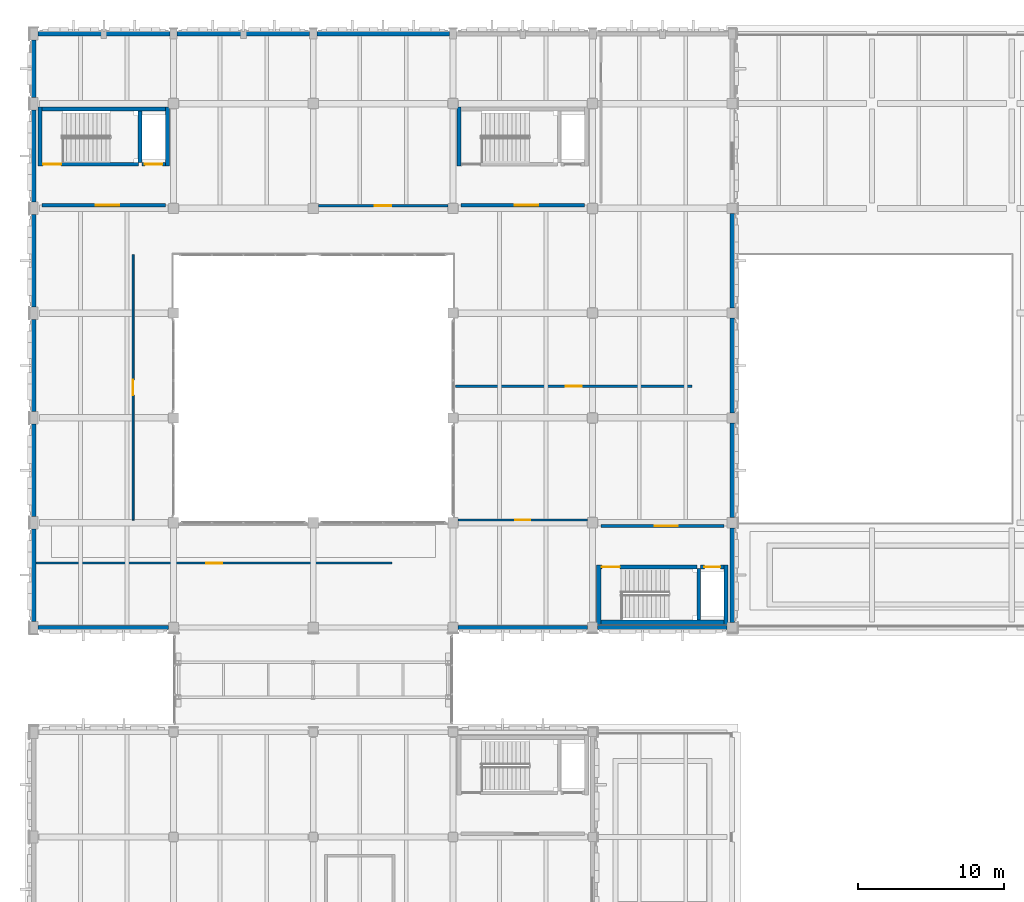
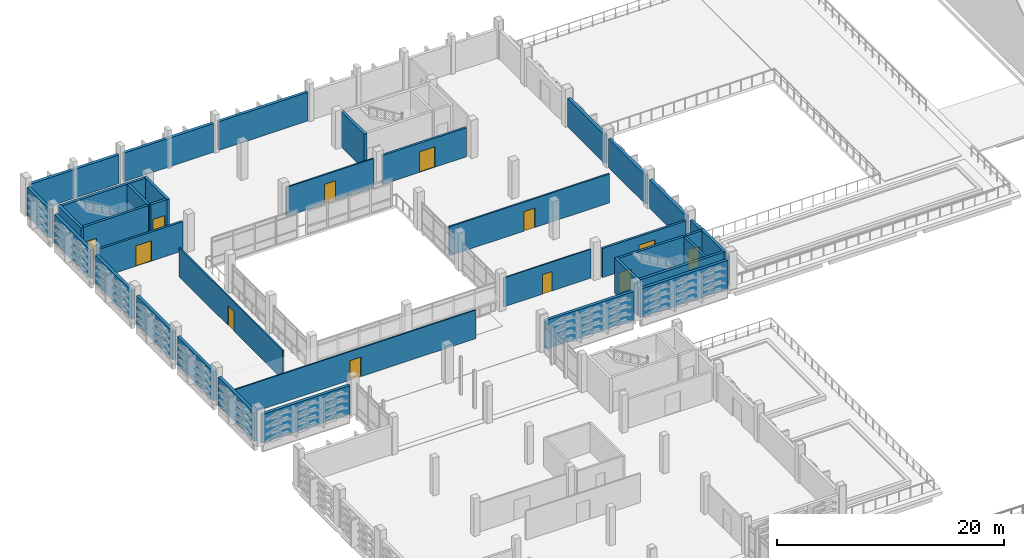
# One storey, part 114 of 134: 37 walls, 12 doors, 12 openings.
"""IFC4 building model written with IfcOpenShell, lengths in metres."""

from ifc_helpers import new_model, si_unit, direction, frame, frame_2d, origin, place, context, subcontext, project, spatial, rectangle, extrude, material, layer, layer_set, type_object, element, fill, save


model = new_model("IFC4")

# Units and contexts
model_context = context("Model", 3, precision=1e-05, world=origin(), true_north=direction((0.0, 1.0)))
body_context = subcontext(model_context, "Body", "Model", "MODEL_VIEW")
ifc_project = project(units=[si_unit("LENGTHUNIT", "METRE"), si_unit("AREAUNIT", "SQUARE_METRE"), si_unit("VOLUMEUNIT", "CUBIC_METRE"), si_unit("PLANEANGLEUNIT", "RADIAN"), si_unit("MASSUNIT", "GRAM", prefix="KILO")], contexts=[model_context])

# Site, building, storey
site_placement = place(None, origin())
site = spatial("IfcSite", under=ifc_project, at=site_placement, CompositionType="ELEMENT")
building_placement = place(site_placement, origin())
building = spatial("IfcBuilding", under=site, at=building_placement, Name="Asteropetra Specialist Clinic", CompositionType="ELEMENT")
storey_placement = place(building_placement, frame((0.0, 0.0, 8.5)))
storey = spatial("IfcBuildingStorey", under=building, at=storey_placement, Name="L02", CompositionType="ELEMENT", Elevation=8.5)

# Walls
ifc_material_1 = material(Name="Chevron terracotta mid", Category="masonry")
ifc_layer_1 = layer(ifc_material_1, 0.300048828125)
ifc_layer_set_1 = layer_set([ifc_layer_1], Name="Chevron terracotta mid")
wall_type_1 = type_object("IfcWallType", Name="EW-CHEV-TER-300", PredefinedType="SOLIDWALL", material=ifc_layer_set_1)
wall_1_placement = place(storey_placement, frame((0.300048828125, 69.60009765625, 0.0), z_axis=(0.0, 0.0, 1.0), x_axis=(1.0, 0.0, 0.0)))
element("IfcWall", 1, at=wall_1_placement, inside=storey, type_object=wall_type_1, Name="Exterior Wall EW-0087", PredefinedType="SOLIDWALL", context=body_context, shape_type="SweptSolid", body=[
    extrude(rectangle(XDim=8.949951171875, YDim=0.300048828125, at=frame_2d((4.47509765625, 0.0))), origin(), (0.0, 0.0, 1.0), 3.080078125),
])
wall_2_placement = place(storey_placement, frame((9.35009765625, 110.39990234375, 0.0), z_axis=(0.0, 0.0, 1.0), x_axis=(-1.0, 0.0, 0.0)))
element("IfcWall", 2, at=wall_2_placement, inside=storey, type_object=wall_type_1, Name="Exterior Wall EW-0088", PredefinedType="SOLIDWALL", context=body_context, shape_type="SweptSolid", body=[
    extrude(rectangle(XDim=9.050048828125, YDim=0.300048828125, at=frame_2d((4.52490234375, 0.0))), origin(), (0.0, 0.0, 1.0), 3.080078125),
])
wall_3_placement = place(storey_placement, frame((18.949951171875, 110.39990234375, 0.0), z_axis=(0.0, 0.0, 1.0), x_axis=(-1.0, 0.0, 0.0)))
element("IfcWall", 3, at=wall_3_placement, inside=storey, type_object=wall_type_1, Name="Exterior Wall EW-0089", PredefinedType="SOLIDWALL", context=body_context, shape_type="SweptSolid", body=[
    extrude(rectangle(XDim=9.099853515625, YDim=0.300048828125, at=frame_2d((4.5498046875, 0.0))), origin(), (0.0, 0.0, 1.0), 3.080078125),
])
wall_4_placement = place(storey_placement, frame((28.550048828125, 110.39990234375, 0.0), z_axis=(0.0, 0.0, 1.0), x_axis=(-1.0, 0.0, 0.0)))
element("IfcWall", 4, at=wall_4_placement, inside=storey, type_object=wall_type_1, Name="Exterior Wall EW-0090", PredefinedType="SOLIDWALL", context=body_context, shape_type="SweptSolid", body=[
    extrude(rectangle(XDim=9.10009765625, YDim=0.300048828125, at=frame_2d((4.550048828125, 0.0))), origin(), (0.0, 0.0, 1.0), 3.080078125),
])
wall_5_placement = place(storey_placement, frame((29.14990234375, 69.60009765625, 0.0), z_axis=(0.0, 0.0, 1.0), x_axis=(1.0, 0.0, 0.0)))
element("IfcWall", 5, at=wall_5_placement, inside=storey, type_object=wall_type_1, Name="Exterior Wall EW-0091", PredefinedType="SOLIDWALL", context=body_context, shape_type="SweptSolid", body=[
    extrude(rectangle(XDim=8.900146484375, YDim=0.300048828125, at=frame_2d((4.4501953125, 0.0))), origin(), (0.0, 0.0, 1.0), 3.080078125),
])
wall_6_placement = place(storey_placement, frame((38.75, 69.60009765625, 0.0), z_axis=(0.0, 0.0, 1.0), x_axis=(1.0, 0.0, 0.0)))
element("IfcWall", 6, at=wall_6_placement, inside=storey, type_object=wall_type_1, Name="Exterior Wall EW-0093", PredefinedType="SOLIDWALL", context=body_context, shape_type="SweptSolid", body=[
    extrude(rectangle(XDim=8.89990234375, YDim=0.300048828125, at=frame_2d((4.449951171875, 0.0))), origin(), (0.0, 0.0, 1.0), 3.080078125),
])
wall_7_placement = place(storey_placement, frame((0.0, 76.375, 0.0), z_axis=(0.0, 0.0, 1.0), x_axis=(0.0, -1.0, 0.0)))
element("IfcWall", 7, at=wall_7_placement, inside=storey, type_object=wall_type_1, Name="Exterior Wall EW-0095", PredefinedType="SOLIDWALL", context=body_context, shape_type="SweptSolid", body=[
    extrude(rectangle(XDim=6.35009765625, YDim=0.300048828125, at=frame_2d((3.175048828125, 0.0))), origin(), (0.0, 0.0, 1.0), 3.080078125),
])
wall_8_placement = place(storey_placement, frame((48.0, 69.949951171875, 0.0), z_axis=(0.0, 0.0, 1.0), x_axis=(0.0, 1.0, 0.0)))
element("IfcWall", 8, at=wall_8_placement, inside=storey, type_object=wall_type_1, Name="Exterior Wall EW-0096", PredefinedType="SOLIDWALL", context=body_context, shape_type="SweptSolid", body=[
    extrude(rectangle(XDim=6.5, YDim=0.300048828125, at=frame_2d((3.25, 0.0))), origin(), (0.0, 0.0, 1.0), 3.080078125),
])
wall_9_placement = place(storey_placement, frame((0.0, 83.574951171875, 0.0), z_axis=(0.0, 0.0, 1.0), x_axis=(0.0, -1.0, 0.0)))
element("IfcWall", 9, at=wall_9_placement, inside=storey, type_object=wall_type_1, Name="Exterior Wall EW-0097", PredefinedType="SOLIDWALL", context=body_context, shape_type="SweptSolid", body=[
    extrude(rectangle(XDim=6.349853515625, YDim=0.300048828125, at=frame_2d((3.1748046875, 0.0))), origin(), (0.0, 0.0, 1.0), 3.080078125),
])
wall_10_placement = place(storey_placement, frame((48.0, 77.14990234375, 0.0), z_axis=(0.0, 0.0, 1.0), x_axis=(0.0, 1.0, 0.0)))
element("IfcWall", 10, at=wall_10_placement, inside=storey, type_object=wall_type_1, Name="Exterior Wall EW-0098", PredefinedType="SOLIDWALL", context=body_context, shape_type="SweptSolid", body=[
    extrude(rectangle(XDim=6.5, YDim=0.300048828125, at=frame_2d((3.25, 0.0))), origin(), (0.0, 0.0, 1.0), 3.080078125),
])
wall_11_placement = place(storey_placement, frame((0.0, 90.77490234375, 0.0), z_axis=(0.0, 0.0, 1.0), x_axis=(0.0, -1.0, 0.0)))
element("IfcWall", 11, at=wall_11_placement, inside=storey, type_object=wall_type_1, Name="Exterior Wall EW-0099", PredefinedType="SOLIDWALL", context=body_context, shape_type="SweptSolid", body=[
    extrude(rectangle(XDim=6.349853515625, YDim=0.300048828125, at=frame_2d((3.1748046875, 0.0))), origin(), (0.0, 0.0, 1.0), 3.080078125),
])
wall_12_placement = place(storey_placement, frame((48.0, 84.35009765625, 0.0), z_axis=(0.0, 0.0, 1.0), x_axis=(0.0, 1.0, 0.0)))
element("IfcWall", 12, at=wall_12_placement, inside=storey, type_object=wall_type_1, Name="Exterior Wall EW-0100", PredefinedType="SOLIDWALL", context=body_context, shape_type="SweptSolid", body=[
    extrude(rectangle(XDim=6.5, YDim=0.300048828125, at=frame_2d((3.25, 0.0))), origin(), (0.0, 0.0, 1.0), 3.080078125),
])
wall_13_placement = place(storey_placement, frame((0.0, 97.97509765625, 0.0), z_axis=(0.0, 0.0, 1.0), x_axis=(0.0, -1.0, 0.0)))
element("IfcWall", 13, at=wall_13_placement, inside=storey, type_object=wall_type_1, Name="Exterior Wall EW-0101", PredefinedType="SOLIDWALL", context=body_context, shape_type="SweptSolid", body=[
    extrude(rectangle(XDim=6.35009765625, YDim=0.300048828125, at=frame_2d((3.175048828125, 0.0))), origin(), (0.0, 0.0, 1.0), 3.080078125),
])
wall_14_placement = place(storey_placement, frame((48.0, 91.550048828125, 0.0), z_axis=(0.0, 0.0, 1.0), x_axis=(0.0, 1.0, 0.0)))
element("IfcWall", 14, at=wall_14_placement, inside=storey, type_object=wall_type_1, Name="Exterior Wall EW-0102", PredefinedType="SOLIDWALL", context=body_context, shape_type="SweptSolid", body=[
    extrude(rectangle(XDim=6.5, YDim=0.300048828125, at=frame_2d((3.25, 0.0))), origin(), (0.0, 0.0, 1.0), 3.080078125),
])
wall_15_placement = place(storey_placement, frame((0.0, 105.175048828125, 0.0), z_axis=(0.0, 0.0, 1.0), x_axis=(0.0, -1.0, 0.0)))
element("IfcWall", 15, at=wall_15_placement, inside=storey, type_object=wall_type_1, Name="Exterior Wall EW-0103", PredefinedType="SOLIDWALL", context=body_context, shape_type="SweptSolid", body=[
    extrude(rectangle(XDim=6.35009765625, YDim=0.300048828125, at=frame_2d((3.175048828125, 0.0))), origin(), (0.0, 0.0, 1.0), 3.080078125),
])
wall_16_placement = place(storey_placement, frame((0.0, 109.97509765625, 0.0), z_axis=(0.0, 0.0, 1.0), x_axis=(0.0, -1.0, 0.0)))
element("IfcWall", 16, at=wall_16_placement, inside=storey, type_object=wall_type_1, Name="Exterior Wall EW-0105", PredefinedType="SOLIDWALL", context=body_context, shape_type="SweptSolid", body=[
    extrude(rectangle(XDim=3.9501953125, YDim=0.300048828125, at=frame_2d((1.97509765625, 0.0))), origin(), (0.0, 0.0, 1.0), 3.080078125),
])

# Wall, opening, door
ifc_material_2 = material(Name="Fire-rated masonry and gypsum", Category="masonry")
ifc_layer_2 = layer(ifc_material_2, 0.219970703125)
ifc_layer_set_2 = layer_set([ifc_layer_2], Name="Fire-rated masonry and gypsum")
wall_type_2 = type_object("IfcWallType", Name="W-COMP-220", PredefinedType="PARTITIONING", material=ifc_layer_set_2)
wall_17_placement = place(storey_placement, frame((0.56005859375, 98.6201171875, 0.0), z_axis=(0.0, 0.0, 1.0), x_axis=(1.0, 0.0, 0.0)))
wall_17 = element("IfcWall", 17, at=wall_17_placement, inside=storey, type_object=wall_type_2, Name="Core Wall CW-C1-L02-LOB", PredefinedType="PARTITIONING", context=body_context, shape_type="SweptSolid", body=[
    extrude(rectangle(XDim=8.47998046875, YDim=0.219970703125, at=frame_2d((4.239990234375, 0.0))), origin(), (0.0, 0.0, 1.0), 3.1298828125),
])
opening_1_placement = place(wall_17_placement, frame((3.699951171875, 0.0, 0.0)))
opening_1 = element("IfcOpeningElement", 18, at=opening_1_placement, cuts=wall_17, Name="Opening FD-006", PredefinedType="OPENING", context=body_context, shape_type="SweptSolid", body=[
    extrude(rectangle(XDim=1.60009765625, YDim=2.199951171875, at=frame_2d((0.800048828125, 1.10009765625))), frame((0.0, 0.119873046875, 0.0), z_axis=(0.0, -1.0, 0.0), x_axis=(1.0, 0.0, 0.0)), (0.0, 0.0, 1.0), 0.239990234375),
])
ifc_material_3 = material(Name="Fire-rated steel and vision glass door", Category="steel")
door_type_1 = type_object("IfcDoorType", Name="FD-LOBBY-1600", OperationType="DOUBLE_DOOR_SINGLE_SWING", PredefinedType="DOOR", material=ifc_material_3)
door_1_placement = place(opening_1_placement, origin())
door_1 = element("IfcDoor", 19, at=door_1_placement, inside=storey, type_object=door_type_1, Name="Lobby Fire Door FD-006", OperationType="DOUBLE_DOOR_SINGLE_SWING", OverallHeight=2.199951171875, OverallWidth=1.60009765625, PredefinedType="DOOR", context=body_context, shape_type="SweptSolid", body=[
    extrude(rectangle(XDim=1.60009765625, YDim=2.199951171875, at=frame_2d((0.800048828125, 1.10009765625))), frame((0.0, 0.02490234375, 0.0), z_axis=(0.0, -1.0, 0.0), x_axis=(1.0, 0.0, 0.0)), (0.0, 0.0, 1.0), 0.050048828125),
])
fill(opening_1, door_1)

wall_18_placement = place(storey_placement, frame((29.360107421875, 98.6201171875, 0.0), z_axis=(0.0, 0.0, 1.0), x_axis=(1.0, 0.0, 0.0)))
wall_18 = element("IfcWall", 20, at=wall_18_placement, inside=storey, type_object=wall_type_2, Name="Core Wall CW-C2-L02-LOB", PredefinedType="PARTITIONING", context=body_context, shape_type="SweptSolid", body=[
    extrude(rectangle(XDim=8.47998046875, YDim=0.219970703125, at=frame_2d((4.239990234375, 0.0))), origin(), (0.0, 0.0, 1.0), 3.1298828125),
])
opening_2_placement = place(wall_18_placement, frame((3.699951171875, 0.0, 0.0)))
opening_2 = element("IfcOpeningElement", 21, at=opening_2_placement, cuts=wall_18, Name="Opening FD-018", PredefinedType="OPENING", context=body_context, shape_type="SweptSolid", body=[
    extrude(rectangle(XDim=1.60009765625, YDim=2.199951171875, at=frame_2d((0.800048828125, 1.10009765625))), frame((0.0, 0.119873046875, 0.0), z_axis=(0.0, -1.0, 0.0), x_axis=(1.0, 0.0, 0.0)), (0.0, 0.0, 1.0), 0.239990234375),
])
door_2_placement = place(opening_2_placement, origin())
door_2 = element("IfcDoor", 22, at=door_2_placement, inside=storey, type_object=door_type_1, Name="Lobby Fire Door FD-018", OperationType="DOUBLE_DOOR_SINGLE_SWING", OverallHeight=2.199951171875, OverallWidth=1.60009765625, PredefinedType="DOOR", context=body_context, shape_type="SweptSolid", body=[
    extrude(rectangle(XDim=1.60009765625, YDim=2.199951171875, at=frame_2d((0.800048828125, 1.10009765625))), frame((0.0, 0.02490234375, 0.0), z_axis=(0.0, -1.0, 0.0), x_axis=(1.0, 0.0, 0.0)), (0.0, 0.0, 1.0), 0.050048828125),
])
fill(opening_2, door_2)

wall_19_placement = place(storey_placement, frame((38.9599609375, 76.580078125, 0.0), z_axis=(0.0, 0.0, 1.0), x_axis=(1.0, 0.0, 0.0)))
wall_19 = element("IfcWall", 23, at=wall_19_placement, inside=storey, type_object=wall_type_2, Name="Core Wall CW-C3-L02-LOB", PredefinedType="PARTITIONING", context=body_context, shape_type="SweptSolid", body=[
    extrude(rectangle(XDim=8.47998046875, YDim=0.219970703125, at=frame_2d((4.239990234375, 0.0))), origin(), (0.0, 0.0, 1.0), 3.1298828125),
])
opening_3_placement = place(wall_19_placement, frame((3.699951171875, 0.0, 0.0)))
opening_3 = element("IfcOpeningElement", 24, at=opening_3_placement, cuts=wall_19, Name="Opening FD-030", PredefinedType="OPENING", context=body_context, shape_type="SweptSolid", body=[
    extrude(rectangle(XDim=1.60009765625, YDim=2.199951171875, at=frame_2d((0.800048828125, 1.10009765625))), frame((0.0, 0.119873046875, 0.0), z_axis=(0.0, -1.0, 0.0), x_axis=(1.0, 0.0, 0.0)), (0.0, 0.0, 1.0), 0.239990234375),
])
door_3_placement = place(opening_3_placement, origin())
door_3 = element("IfcDoor", 25, at=door_3_placement, inside=storey, type_object=door_type_1, Name="Lobby Fire Door FD-030", OperationType="DOUBLE_DOOR_SINGLE_SWING", OverallHeight=2.199951171875, OverallWidth=1.60009765625, PredefinedType="DOOR", context=body_context, shape_type="SweptSolid", body=[
    extrude(rectangle(XDim=1.60009765625, YDim=2.199951171875, at=frame_2d((0.800048828125, 1.10009765625))), frame((0.0, 0.02490234375, 0.0), z_axis=(0.0, -1.0, 0.0), x_axis=(1.0, 0.0, 0.0)), (0.0, 0.0, 1.0), 0.050048828125),
])
fill(opening_3, door_3)

# Walls
ifc_material_4 = material(Name="Concrete C35/45", Category="concrete")
ifc_layer_3 = layer(ifc_material_4, 0.280029296875)
ifc_layer_set_3 = layer_set([ifc_layer_3], Name="Concrete C35/45")
wall_type_3 = type_object("IfcWallType", Name="W-CORE-280", PredefinedType="SHEAR", material=ifc_layer_set_3)
for number, where, z_axis, x_axis, name in (
    (26, (0.419921875, 101.300048828125, 0.0), (0.0, 0.0, 1.0), (0.0, 1.0, 0.0), "Core Wall CW-C1-L02-W"),
    (27, (9.179931640625, 101.300048828125, 0.0), (0.0, 0.0, 1.0), (0.0, 1.0, 0.0), "Core Wall CW-C1-L02-E"),
):
    element("IfcWall", number, at=place(storey_placement, frame(where, z_axis=z_axis, x_axis=x_axis)), inside=storey, type_object=wall_type_3, Name=name, PredefinedType="SHEAR", context=body_context, shape_type="SweptSolid", body=[
        extrude(rectangle(XDim=4.079833984375, YDim=0.280029296875, at=frame_2d((2.0400390625, 0.0))), origin(), (0.0, 0.0, 1.0), 3.800048828125),
    ])
wall_20_placement = place(storey_placement, frame((0.554931640625, 105.239990234375, 0.0), z_axis=(0.0, 0.0, 1.0), x_axis=(1.0, 0.0, 0.0)))
element("IfcWall", 28, at=wall_20_placement, inside=storey, type_object=wall_type_3, Name="Core Wall CW-C1-L02-BACK", PredefinedType="SHEAR", context=body_context, shape_type="SweptSolid", body=[
    extrude(rectangle(XDim=8.489990234375, YDim=0.280029296875, at=frame_2d((4.2451171875, 0.0))), origin(), (0.0, 0.0, 1.0), 3.800048828125),
])
for number, where, z_axis, x_axis, name in (
    (29, (29.219970703125, 101.300048828125, 0.0), (0.0, 0.0, 1.0), (0.0, 1.0, 0.0), "Core Wall CW-C2-L02-W"),
    (30, (38.820068359375, 69.820068359375, 0.0), (0.0, 0.0, 1.0), (0.0, 1.0, 0.0), "Core Wall CW-C3-L02-W"),
    (31, (47.580078125, 69.820068359375, 0.0), (0.0, 0.0, 1.0), (0.0, 1.0, 0.0), "Core Wall CW-C3-L02-E"),
):
    element("IfcWall", number, at=place(storey_placement, frame(where, z_axis=z_axis, x_axis=x_axis)), inside=storey, type_object=wall_type_3, Name=name, PredefinedType="SHEAR", context=body_context, shape_type="SweptSolid", body=[
        extrude(rectangle(XDim=4.079833984375, YDim=0.280029296875, at=frame_2d((2.0400390625, 0.0))), origin(), (0.0, 0.0, 1.0), 3.800048828125),
    ])
wall_21_placement = place(storey_placement, frame((38.955078125, 69.9599609375, 0.0), z_axis=(0.0, 0.0, 1.0), x_axis=(1.0, 0.0, 0.0)))
element("IfcWall", 32, at=wall_21_placement, inside=storey, type_object=wall_type_3, Name="Core Wall CW-C3-L02-BACK", PredefinedType="SHEAR", context=body_context, shape_type="SweptSolid", body=[
    extrude(rectangle(XDim=8.489990234375, YDim=0.280029296875, at=frame_2d((4.2451171875, 0.0))), origin(), (0.0, 0.0, 1.0), 3.800048828125),
])

# Wall, opening, door
ifc_material_5 = material(Name="Light partition", Category="masonry")
ifc_layer_4 = layer(ifc_material_5, 0.1201171875)
ifc_layer_set_4 = layer_set([ifc_layer_4], Name="Light partition")
wall_type_4 = type_object("IfcWallType", Name="W-PART-120", PredefinedType="PARTITIONING", material=ifc_layer_set_4)
wall_22_placement = place(storey_placement, frame((29.155029296875, 76.97998046875, 0.0), z_axis=(0.0, 0.0, 1.0), x_axis=(1.0, 0.0, 0.0)))
wall_22 = element("IfcWall", 33, at=wall_22_placement, inside=storey, type_object=wall_type_4, Name="Interior Partition PW-0129", PredefinedType="PARTITIONING", context=body_context, shape_type="SweptSolid", body=[
    extrude(rectangle(XDim=8.889892578125, YDim=0.1201171875, at=frame_2d((4.44482421875, 0.0))), origin(), (0.0, 0.0, 1.0), 3.1201171875),
])
opening_4_placement = place(wall_22_placement, frame((3.945068359375, 0.0, 0.0)))
opening_4 = element("IfcOpeningElement", 34, at=opening_4_placement, cuts=wall_22, Name="Opening ID-0083", PredefinedType="OPENING", context=body_context, shape_type="SweptSolid", body=[
    extrude(rectangle(XDim=1.0, YDim=2.10009765625, at=frame_2d((0.5, 1.050048828125))), frame((0.0, 0.070068359375, 0.0), z_axis=(0.0, -1.0, 0.0), x_axis=(1.0, 0.0, 0.0)), (0.0, 0.0, 1.0), 0.14013671875),
])
ifc_material_6 = material(Name="Antimicrobial laminate timber leaf in steel frame", Category="steel")
door_type_2 = type_object("IfcDoorType", Name="ID-CONS-1000", OperationType="SINGLE_SWING_RIGHT", PredefinedType="DOOR", material=ifc_material_6)
door_4_placement = place(opening_4_placement, origin())
door_4 = element("IfcDoor", 35, at=door_4_placement, inside=storey, type_object=door_type_2, Name="Interior Door ID-0083", OperationType="SINGLE_SWING_RIGHT", OverallHeight=2.10009765625, OverallWidth=1.0, PredefinedType="DOOR", context=body_context, shape_type="SweptSolid", body=[
    extrude(rectangle(XDim=1.0, YDim=2.10009765625, at=frame_2d((0.5, 1.050048828125))), frame((0.0, 0.02490234375, 0.0), z_axis=(0.0, -1.0, 0.0), x_axis=(1.0, 0.0, 0.0)), (0.0, 0.0, 1.0), 0.050048828125),
])
fill(opening_4, door_4)

ifc_material_7 = material(Name="Office and seminar partition", Category="masonry")
ifc_layer_5 = layer(ifc_material_7, 0.1298828125)
ifc_layer_set_5 = layer_set([ifc_layer_5], Name="Office and seminar partition")
wall_type_5 = type_object("IfcWallType", Name="W-PART-130", PredefinedType="PARTITIONING", material=ifc_layer_set_5)
wall_23_placement = place(storey_placement, frame((6.820068359375, 76.97998046875, 0.0), z_axis=(0.0, 0.0, 1.0), x_axis=(0.0, 1.0, 0.0)))
wall_23 = element("IfcWall", 36, at=wall_23_placement, inside=storey, type_object=wall_type_5, Name="Interior Partition PW-0128", PredefinedType="PARTITIONING", context=body_context, shape_type="SweptSolid", body=[
    extrude(rectangle(XDim=18.239990234375, YDim=0.1298828125, at=frame_2d((9.1201171875, 0.0))), origin(), (0.0, 0.0, 1.0), 3.1201171875),
])
opening_5_placement = place(wall_23_placement, frame((8.594970703125, 0.0, 0.0)))
opening_5 = element("IfcOpeningElement", 37, at=opening_5_placement, cuts=wall_23, Name="Opening ID-0082", PredefinedType="OPENING", context=body_context, shape_type="SweptSolid", body=[
    extrude(rectangle(XDim=1.050048828125, YDim=2.10009765625, at=frame_2d((0.52490234375, 1.050048828125))), frame((0.0, 0.074951171875, 0.0), z_axis=(0.0, -1.0, 0.0), x_axis=(1.0, 0.0, 0.0)), (0.0, 0.0, 1.0), 0.14990234375),
])
ifc_material_8 = material(Name="Antimicrobial laminate timber leaf in steel frame", Category="steel")
door_type_3 = type_object("IfcDoorType", Name="ID-CONS-1050", OperationType="SINGLE_SWING_LEFT", PredefinedType="DOOR", material=ifc_material_8)
door_5_placement = place(opening_5_placement, origin())
door_5 = element("IfcDoor", 38, at=door_5_placement, inside=storey, type_object=door_type_3, Name="Interior Door ID-0082", OperationType="SINGLE_SWING_LEFT", OverallHeight=2.10009765625, OverallWidth=1.050048828125, PredefinedType="DOOR", context=body_context, shape_type="SweptSolid", body=[
    extrude(rectangle(XDim=1.050048828125, YDim=2.10009765625, at=frame_2d((0.52490234375, 1.050048828125))), frame((0.0, 0.02490234375, 0.0), z_axis=(0.0, -1.0, 0.0), x_axis=(1.0, 0.0, 0.0)), (0.0, 0.0, 1.0), 0.050048828125),
])
fill(opening_5, door_5)

ifc_material_9 = material(Name="Laboratory partition", Category="masonry")
ifc_layer_6 = layer(ifc_material_9, 0.139892578125)
ifc_layer_set_6 = layer_set([ifc_layer_6], Name="Laboratory partition")
wall_type_6 = type_object("IfcWallType", Name="W-PART-140", PredefinedType="PARTITIONING", material=ifc_layer_set_6)
wall_24_placement = place(storey_placement, frame((0.152099609375, 74.02001953125, 0.0), z_axis=(0.0, 0.0, 1.0), x_axis=(1.0, 0.0, 0.0)))
wall_24 = element("IfcWall", 39, at=wall_24_placement, inside=storey, type_object=wall_type_6, Name="Interior Partition PW-0127", PredefinedType="PARTITIONING", context=body_context, shape_type="SweptSolid", body=[
    extrude(rectangle(XDim=24.468017578125, YDim=0.139892578125, at=frame_2d((12.23388671875, 0.0))), origin(), (0.0, 0.0, 1.0), 3.080078125),
])
opening_6_placement = place(wall_24_placement, frame((11.68408203125, 0.0, 0.0)))
opening_6 = element("IfcOpeningElement", 40, at=opening_6_placement, cuts=wall_24, Name="Opening ID-0081", PredefinedType="OPENING", context=body_context, shape_type="SweptSolid", body=[
    extrude(rectangle(XDim=1.10009765625, YDim=2.10009765625, at=frame_2d((0.550048828125, 1.050048828125))), frame((0.0, 0.079833984375, 0.0), z_axis=(0.0, -1.0, 0.0), x_axis=(1.0, 0.0, 0.0)), (0.0, 0.0, 1.0), 0.159912109375),
])
ifc_material_10 = material(Name="Antimicrobial laminate timber leaf in steel frame", Category="steel")
door_type_4 = type_object("IfcDoorType", Name="ID-CONS-1100", OperationType="SINGLE_SWING_RIGHT", PredefinedType="DOOR", material=ifc_material_10)
door_6_placement = place(opening_6_placement, origin())
door_6 = element("IfcDoor", 41, at=door_6_placement, inside=storey, type_object=door_type_4, Name="Interior Door ID-0081", OperationType="SINGLE_SWING_RIGHT", OverallHeight=2.10009765625, OverallWidth=1.10009765625, PredefinedType="DOOR", context=body_context, shape_type="SweptSolid", body=[
    extrude(rectangle(XDim=1.10009765625, YDim=2.10009765625, at=frame_2d((0.550048828125, 1.050048828125))), frame((0.0, 0.02490234375, 0.0), z_axis=(0.0, -1.0, 0.0), x_axis=(1.0, 0.0, 0.0)), (0.0, 0.0, 1.0), 0.050048828125),
])
fill(opening_6, door_6)

ifc_material_11 = material(Name="Clinical consulting partition", Category="masonry")
ifc_layer_7 = layer(ifc_material_11, 0.14990234375)
ifc_layer_set_7 = layer_set([ifc_layer_7], Name="Clinical consulting partition")
wall_type_7 = type_object("IfcWallType", Name="W-PART-150", PredefinedType="PARTITIONING", material=ifc_layer_set_7)
wall_25_placement = place(storey_placement, frame((19.554931640625, 98.580078125, 0.0), z_axis=(0.0, 0.0, 1.0), x_axis=(1.0, 0.0, 0.0)))
wall_25 = element("IfcWall", 42, at=wall_25_placement, inside=storey, type_object=wall_type_7, Name="Interior Partition PW-0131", PredefinedType="PARTITIONING", context=body_context, shape_type="SweptSolid", body=[
    extrude(rectangle(XDim=8.89013671875, YDim=0.14990234375, at=frame_2d((4.445068359375, 0.0))), origin(), (0.0, 0.0, 1.0), 3.1201171875),
])
opening_7_placement = place(wall_25_placement, frame((3.885009765625, 0.0, 0.0)))
opening_7 = element("IfcOpeningElement", 43, at=opening_7_placement, cuts=wall_25, Name="Opening ID-0085", PredefinedType="OPENING", context=body_context, shape_type="SweptSolid", body=[
    extrude(rectangle(XDim=1.1201171875, YDim=2.10009765625, at=frame_2d((0.56005859375, 1.050048828125))), frame((0.0, 0.0849609375, 0.0), z_axis=(0.0, -1.0, 0.0), x_axis=(1.0, 0.0, 0.0)), (0.0, 0.0, 1.0), 0.169921875),
])
ifc_material_12 = material(Name="Antimicrobial laminate timber leaf in steel frame", Category="steel")
door_type_5 = type_object("IfcDoorType", Name="ID-EXAM-1120", OperationType="SINGLE_SWING_RIGHT", PredefinedType="DOOR", material=ifc_material_12)
door_7_placement = place(opening_7_placement, origin())
door_7 = element("IfcDoor", 44, at=door_7_placement, inside=storey, type_object=door_type_5, Name="Interior Door ID-0085", OperationType="SINGLE_SWING_RIGHT", OverallHeight=2.10009765625, OverallWidth=1.1201171875, PredefinedType="DOOR", context=body_context, shape_type="SweptSolid", body=[
    extrude(rectangle(XDim=1.1201171875, YDim=2.10009765625, at=frame_2d((0.56005859375, 1.050048828125))), frame((0.0, 0.02490234375, 0.0), z_axis=(0.0, -1.0, 0.0), x_axis=(1.0, 0.0, 0.0)), (0.0, 0.0, 1.0), 0.050048828125),
])
fill(opening_7, door_7)

ifc_material_13 = material(Name="Acoustic clinical stud partition", Category="masonry")
ifc_layer_8 = layer(ifc_material_13, 0.159912109375)
ifc_layer_set_8 = layer_set([ifc_layer_8], Name="Acoustic clinical stud partition")
wall_type_8 = type_object("IfcWallType", Name="W-PART-160", PredefinedType="PARTITIONING", material=ifc_layer_set_8)
wall_26_placement = place(storey_placement, frame((28.97998046875, 86.179931640625, 0.0), z_axis=(0.0, 0.0, 1.0), x_axis=(1.0, 0.0, 0.0)))
wall_26 = element("IfcWall", 45, at=wall_26_placement, inside=storey, type_object=wall_type_8, Name="Interior Partition PW-0130", PredefinedType="PARTITIONING", context=body_context, shape_type="SweptSolid", body=[
    extrude(rectangle(XDim=16.239990234375, YDim=0.159912109375, at=frame_2d((8.1201171875, 0.0))), origin(), (0.0, 0.0, 1.0), 3.1201171875),
])
opening_8_placement = place(wall_26_placement, frame((7.580078125, 0.0, 0.0)))
opening_8 = element("IfcOpeningElement", 46, at=opening_8_placement, cuts=wall_26, Name="Opening ID-0084", PredefinedType="OPENING", context=body_context, shape_type="SweptSolid", body=[
    extrude(rectangle(XDim=1.080078125, YDim=2.10009765625, at=frame_2d((0.5400390625, 1.050048828125))), frame((0.0, 0.08984375, 0.0), z_axis=(0.0, -1.0, 0.0), x_axis=(1.0, 0.0, 0.0)), (0.0, 0.0, 1.0), 0.179931640625),
])
ifc_material_14 = material(Name="Antimicrobial laminate timber leaf in steel frame", Category="steel")
door_type_6 = type_object("IfcDoorType", Name="ID-EXAM-1080", OperationType="SINGLE_SWING_LEFT", PredefinedType="DOOR", material=ifc_material_14)
door_8_placement = place(opening_8_placement, origin())
door_8 = element("IfcDoor", 47, at=door_8_placement, inside=storey, type_object=door_type_6, Name="Interior Door ID-0084", OperationType="SINGLE_SWING_LEFT", OverallHeight=2.10009765625, OverallWidth=1.080078125, PredefinedType="DOOR", context=body_context, shape_type="SweptSolid", body=[
    extrude(rectangle(XDim=1.080078125, YDim=2.10009765625, at=frame_2d((0.5400390625, 1.050048828125))), frame((0.0, 0.02490234375, 0.0), z_axis=(0.0, -1.0, 0.0), x_axis=(1.0, 0.0, 0.0)), (0.0, 0.0, 1.0), 0.050048828125),
])
fill(opening_8, door_8)

# Wall
ifc_material_15 = material(Name="Concrete C35/45", Category="concrete")
ifc_layer_9 = layer(ifc_material_15, 0.25)
ifc_layer_set_9 = layer_set([ifc_layer_9], Name="Concrete C35/45")
wall_type_9 = type_object("IfcWallType", Name="W-SHAFT-250", PredefinedType="SHEAR", material=ifc_layer_set_9)
wall_27_placement = place(storey_placement, frame((7.300048828125, 101.56005859375, 0.0), z_axis=(0.0, 0.0, 1.0), x_axis=(0.0, 1.0, 0.0)))
element("IfcWall", 48, at=wall_27_placement, inside=storey, type_object=wall_type_9, Name="Core Wall CW-C1-L02-MID", PredefinedType="SHEAR", context=body_context, shape_type="SweptSolid", body=[
    extrude(rectangle(XDim=3.5400390625, YDim=0.25, at=frame_2d((1.77001953125, 0.0))), origin(), (0.0, 0.0, 1.0), 3.800048828125),
])

# Wall, opening, door
wall_28_placement = place(storey_placement, frame((0.554931640625, 101.43994140625, 0.0), z_axis=(0.0, 0.0, 1.0), x_axis=(1.0, 0.0, 0.0)))
wall_28 = element("IfcWall", 49, at=wall_28_placement, inside=storey, type_object=wall_type_9, Name="Core Wall CW-C1-L02-STDIV", PredefinedType="SHEAR", context=body_context, shape_type="SweptSolid", body=[
    extrude(rectangle(XDim=6.625, YDim=0.25, at=frame_2d((3.3125, 0.0))), origin(), (0.0, 0.0, 1.0), 3.800048828125),
])
opening_9_placement = place(wall_28_placement, frame((0.080078125, 0.0, 0.0)))
opening_9 = element("IfcOpeningElement", 50, at=opening_9_placement, cuts=wall_28, Name="Opening FD-005", PredefinedType="OPENING", context=body_context, shape_type="SweptSolid", body=[
    extrude(rectangle(XDim=1.239990234375, YDim=2.14990234375, at=frame_2d((0.6201171875, 1.074951171875))), frame((0.0, 0.135009765625, 0.0), z_axis=(0.0, -1.0, 0.0), x_axis=(1.0, 0.0, 0.0)), (0.0, 0.0, 1.0), 0.27001953125),
])
ifc_material_16 = material(Name="Fire-rated steel and vision glass door", Category="steel")
door_type_7 = type_object("IfcDoorType", Name="FD-STAIR-1400", OperationType="DOUBLE_DOOR_SINGLE_SWING", PredefinedType="DOOR", material=ifc_material_16)
door_9_placement = place(opening_9_placement, origin())
door_9 = element("IfcDoor", 51, at=door_9_placement, inside=storey, type_object=door_type_7, Name="Stair Fire Door FD-005", OperationType="DOUBLE_DOOR_SINGLE_SWING", OverallHeight=2.14990234375, OverallWidth=1.239990234375, PredefinedType="DOOR", context=body_context, shape_type="SweptSolid", body=[
    extrude(rectangle(XDim=1.239990234375, YDim=2.14990234375, at=frame_2d((0.6201171875, 1.074951171875))), frame((0.0, 0.02490234375, 0.0), z_axis=(0.0, -1.0, 0.0), x_axis=(1.0, 0.0, 0.0)), (0.0, 0.0, 1.0), 0.050048828125),
])
fill(opening_9, door_9)

wall_29_placement = place(storey_placement, frame((7.419921875, 101.43994140625, 0.0), z_axis=(0.0, 0.0, 1.0), x_axis=(1.0, 0.0, 0.0)))
wall_29 = element("IfcWall", 52, at=wall_29_placement, inside=storey, type_object=wall_type_9, Name="Lift Shaft Front Wall CW-C1-L02-LFTF", PredefinedType="SHEAR", context=body_context, shape_type="SweptSolid", body=[
    extrude(rectangle(XDim=1.625, YDim=0.25, at=frame_2d((0.8125, 0.0))), origin(), (0.0, 0.0, 1.0), 3.800048828125),
])
opening_10_placement = place(wall_29_placement, frame((0.21240234375, 0.0, 0.0)))
opening_10 = element("IfcOpeningElement", 53, at=opening_10_placement, cuts=wall_29, Name="Opening LD-003", PredefinedType="OPENING", context=body_context, shape_type="SweptSolid", body=[
    extrude(rectangle(XDim=1.199951171875, YDim=2.14990234375, at=frame_2d((0.60009765625, 1.074951171875))), frame((0.0, 0.135009765625, 0.0), z_axis=(0.0, -1.0, 0.0), x_axis=(1.0, 0.0, 0.0)), (0.0, 0.0, 1.0), 0.27001953125),
])
ifc_material_17 = material(Name="Brushed stainless steel sliding lift landing door", Category="steel")
door_type_8 = type_object("IfcDoorType", Name="LD-FF-1200", OperationType="DOUBLE_DOOR_SLIDING", PredefinedType="DOOR", material=ifc_material_17)
door_10_placement = place(opening_10_placement, origin())
door_10 = element("IfcDoor", 54, at=door_10_placement, inside=storey, type_object=door_type_8, Name="Lift Landing Door LD-003", OperationType="DOUBLE_DOOR_SLIDING", OverallHeight=2.14990234375, OverallWidth=1.199951171875, PredefinedType="DOOR", context=body_context, shape_type="SweptSolid", body=[
    extrude(rectangle(XDim=1.199951171875, YDim=2.14990234375, at=frame_2d((0.60009765625, 1.074951171875))), frame((0.0, 0.02490234375, 0.0), z_axis=(0.0, -1.0, 0.0), x_axis=(1.0, 0.0, 0.0)), (0.0, 0.0, 1.0), 0.050048828125),
])
fill(opening_10, door_10)

# Wall
wall_30_placement = place(storey_placement, frame((45.699951171875, 70.10009765625, 0.0), z_axis=(0.0, 0.0, 1.0), x_axis=(0.0, 1.0, 0.0)))
element("IfcWall", 55, at=wall_30_placement, inside=storey, type_object=wall_type_9, Name="Core Wall CW-C3-L02-MID", PredefinedType="SHEAR", context=body_context, shape_type="SweptSolid", body=[
    extrude(rectangle(XDim=3.539794921875, YDim=0.25, at=frame_2d((1.77001953125, 0.0))), origin(), (0.0, 0.0, 1.0), 3.800048828125),
])

# Wall, opening, door
wall_31_placement = place(storey_placement, frame((38.955078125, 73.760009765625, 0.0), z_axis=(0.0, 0.0, 1.0), x_axis=(1.0, 0.0, 0.0)))
wall_31 = element("IfcWall", 56, at=wall_31_placement, inside=storey, type_object=wall_type_9, Name="Core Wall CW-C3-L02-STDIV", PredefinedType="SHEAR", context=body_context, shape_type="SweptSolid", body=[
    extrude(rectangle(XDim=6.625, YDim=0.25, at=frame_2d((3.3125, 0.0))), origin(), (0.0, 0.0, 1.0), 3.800048828125),
])
opening_11_placement = place(wall_31_placement, frame((0.080078125, 0.0, 0.0)))
opening_11 = element("IfcOpeningElement", 57, at=opening_11_placement, cuts=wall_31, Name="Opening FD-029", PredefinedType="OPENING", context=body_context, shape_type="SweptSolid", body=[
    extrude(rectangle(XDim=1.239990234375, YDim=2.14990234375, at=frame_2d((0.6201171875, 1.074951171875))), frame((0.0, 0.135009765625, 0.0), z_axis=(0.0, -1.0, 0.0), x_axis=(1.0, 0.0, 0.0)), (0.0, 0.0, 1.0), 0.27001953125),
])
door_11_placement = place(opening_11_placement, origin())
door_11 = element("IfcDoor", 58, at=door_11_placement, inside=storey, type_object=door_type_7, Name="Stair Fire Door FD-029", OperationType="DOUBLE_DOOR_SINGLE_SWING", OverallHeight=2.14990234375, OverallWidth=1.239990234375, PredefinedType="DOOR", context=body_context, shape_type="SweptSolid", body=[
    extrude(rectangle(XDim=1.239990234375, YDim=2.14990234375, at=frame_2d((0.6201171875, 1.074951171875))), frame((0.0, 0.02490234375, 0.0), z_axis=(0.0, -1.0, 0.0), x_axis=(1.0, 0.0, 0.0)), (0.0, 0.0, 1.0), 0.050048828125),
])
fill(opening_11, door_11)

wall_32_placement = place(storey_placement, frame((45.820068359375, 73.760009765625, 0.0), z_axis=(0.0, 0.0, 1.0), x_axis=(1.0, 0.0, 0.0)))
wall_32 = element("IfcWall", 59, at=wall_32_placement, inside=storey, type_object=wall_type_9, Name="Lift Shaft Front Wall CW-C3-L02-LFTF", PredefinedType="SHEAR", context=body_context, shape_type="SweptSolid", body=[
    extrude(rectangle(XDim=1.625, YDim=0.25, at=frame_2d((0.8125, 0.0))), origin(), (0.0, 0.0, 1.0), 3.800048828125),
])
opening_12_placement = place(wall_32_placement, frame((0.262451171875, 0.0, 0.0)))
opening_12 = element("IfcOpeningElement", 60, at=opening_12_placement, cuts=wall_32, Name="Opening LD-015", PredefinedType="OPENING", context=body_context, shape_type="SweptSolid", body=[
    extrude(rectangle(XDim=1.10009765625, YDim=2.14990234375, at=frame_2d((0.550048828125, 1.074951171875))), frame((0.0, 0.135009765625, 0.0), z_axis=(0.0, -1.0, 0.0), x_axis=(1.0, 0.0, 0.0)), (0.0, 0.0, 1.0), 0.27001953125),
])
ifc_material_18 = material(Name="Brushed stainless steel sliding lift landing door", Category="steel")
door_type_9 = type_object("IfcDoorType", Name="LD-PASS-1100", OperationType="DOUBLE_DOOR_SLIDING", PredefinedType="DOOR", material=ifc_material_18)
door_12_placement = place(opening_12_placement, origin())
door_12 = element("IfcDoor", 61, at=door_12_placement, inside=storey, type_object=door_type_9, Name="Lift Landing Door LD-015", OperationType="DOUBLE_DOOR_SLIDING", OverallHeight=2.14990234375, OverallWidth=1.10009765625, PredefinedType="DOOR", context=body_context, shape_type="SweptSolid", body=[
    extrude(rectangle(XDim=1.10009765625, YDim=2.14990234375, at=frame_2d((0.550048828125, 1.074951171875))), frame((0.0, 0.02490234375, 0.0), z_axis=(0.0, -1.0, 0.0), x_axis=(1.0, 0.0, 0.0)), (0.0, 0.0, 1.0), 0.050048828125),
])
fill(opening_12, door_12)

save(model, "model.ifc")
